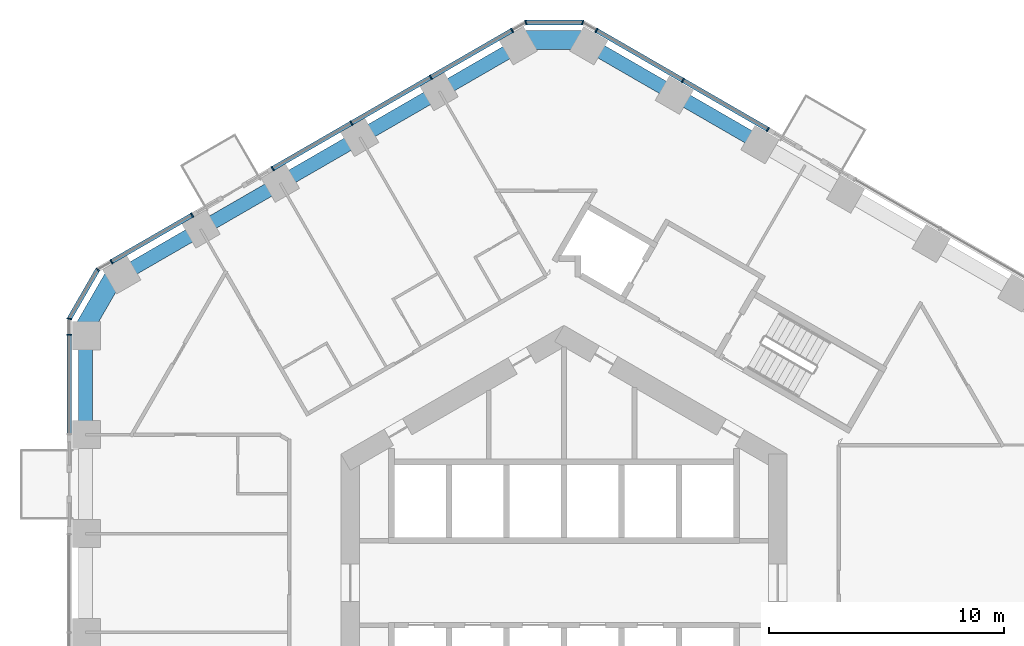
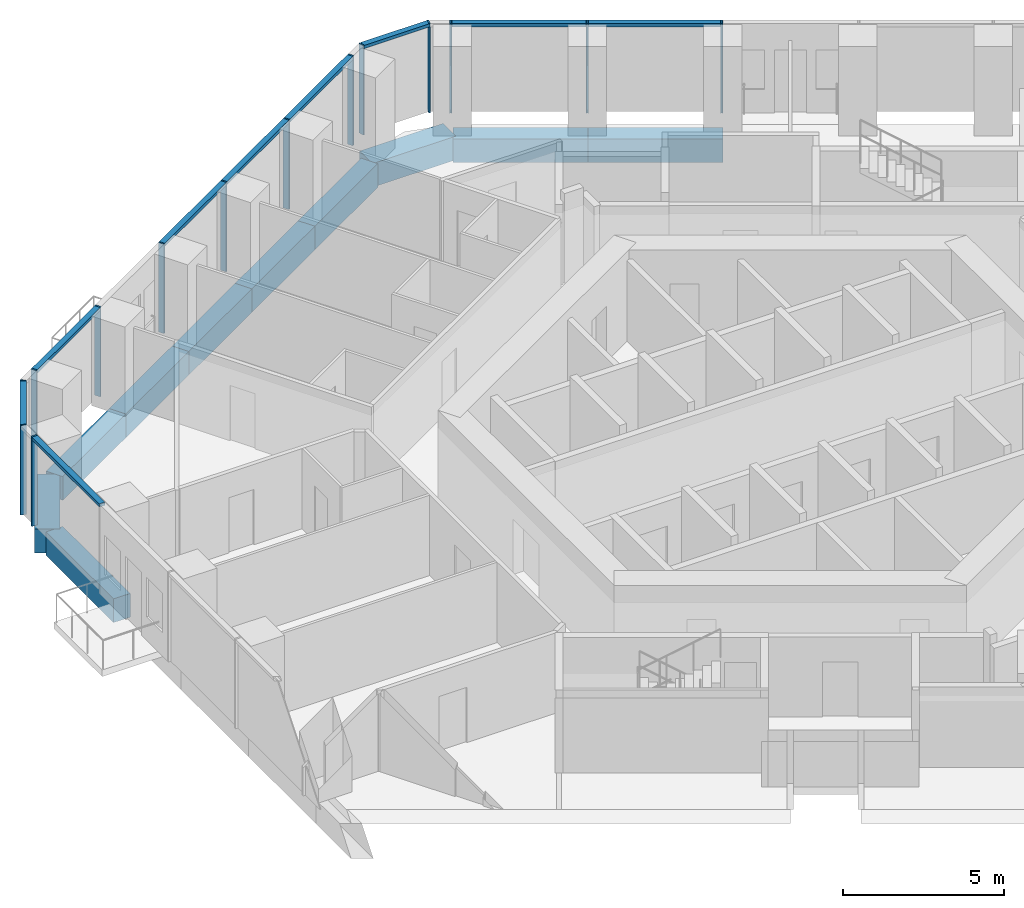
# One storey, part 6 of 20: 20 members, 10 beams, 6 elements without a shape of their own.
"""IFC4 building model written with IfcOpenShell, lengths in metres."""

from ifc_helpers import new_model, si_unit, direction, frame, origin, origin_2d, place, context, subcontext, project, spatial, rectangle, extrude, material, layer, layer_set, material_profile, profile_set, type_object, element, aggregate, save


model = new_model("IFC4")

# Units and contexts
model_context = context("Model", 3, precision=1e-05, world=origin(), true_north=direction((0.0, 1.0)))
body_context = subcontext(model_context, "Body", "Model", "MODEL_VIEW")
ifc_project = project(units=[si_unit("LENGTHUNIT", "METRE"), si_unit("AREAUNIT", "SQUARE_METRE"), si_unit("VOLUMEUNIT", "CUBIC_METRE"), si_unit("PLANEANGLEUNIT", "RADIAN"), si_unit("MASSUNIT", "GRAM", prefix="KILO")], contexts=[model_context])

# Site, building, storey
site_placement = place(None, origin())
site = spatial("IfcSite", under=ifc_project, at=site_placement, CompositionType="ELEMENT")
building_placement = place(site_placement, origin())
building = spatial("IfcBuilding", under=site, at=building_placement, Name="Ayvan Gate Tower", CompositionType="ELEMENT")
storey_placement = place(building_placement, frame((0.0, 0.0, 49.300048828125)))
storey = spatial("IfcBuildingStorey", under=building, at=storey_placement, Name="L12", CompositionType="ELEMENT", Elevation=49.300048828125)

# Beams
ifc_material_1 = material(Name="Concrete C40/50", Category="concrete")
ifc_material_profile_1 = material_profile(ifc_material_1, rectangle(XDim=0.800048828125, YDim=0.89990234375, at=origin_2d()), Name="RC 800x900")
ifc_profile_set_1 = profile_set([ifc_material_profile_1], Name="Concrete C40/50")
beam_type_1 = type_object("IfcBeamType", Name="Corner spandrel beam RC 800x900 C40/50", PredefinedType="BEAM", material=ifc_profile_set_1)
for number, where, z_axis, x_axis, name in (
    (1, (1.0986328125, 23.1220703125, -0.800048828125), (-1.0, 0.0, 0.0), (0.0, -1.0, 0.0), "SB-L12-12"),
    (2, (-19.07373046875, 13.207763671875, -0.800048828125), (-0.499990139034, -0.866031096941, 0.0), (0.866031096941, -0.499990139034, 0.0), "SB-L12-18"),
):
    element("IfcBeam", number, at=place(storey_placement, frame(where, z_axis=z_axis, x_axis=x_axis)), inside=storey, type_object=beam_type_1, Name=name, PredefinedType="BEAM", context=body_context, shape_type="SweptSolid", body=[
        extrude(rectangle(XDim=0.800048828125, YDim=0.89990234375, at=origin_2d()), origin(), (0.0, 0.0, 1.0), 3.0),
    ])
ifc_material_profile_2 = material_profile(ifc_material_1, rectangle(XDim=0.60009765625, YDim=0.89990234375, at=origin_2d()), Name="RC 600x900")
ifc_profile_set_2 = profile_set([ifc_material_profile_2], Name="Concrete C40/50")
beam_type_2 = type_object("IfcBeamType", Name="Spandrel beam RC 600x900 C40/50", PredefinedType="BEAM", material=ifc_profile_set_2)
for number, where, z_axis, x_axis, name in (
    (3, (8.373046875, 18.702392578125, -0.800048828125), (-0.866034573852, 0.49998411664, 0.0), (-0.49998411664, -0.866034573852, 0.0), "SB-L12-10"),
    (4, (4.73583984375, 20.80224609375, -0.800048828125), (-0.866034573852, 0.49998411664, 0.0), (-0.49998411664, -0.866034573852, 0.0), "SB-L12-11"),
):
    element("IfcBeam", number, at=place(storey_placement, frame(where, z_axis=z_axis, x_axis=x_axis)), inside=storey, type_object=beam_type_2, Name=name, PredefinedType="BEAM", context=body_context, shape_type="SweptSolid", body=[
        extrude(rectangle(XDim=0.60009765625, YDim=0.89990234375, at=origin_2d()), origin(), (0.0, 0.0, 1.0), 4.199951171875),
    ])
beam_1_placement = place(storey_placement, frame((-1.9013671875, 22.902099609375, -0.800048828125), z_axis=(-0.866054971592, -0.499948783558, 0.0), x_axis=(0.499948783558, -0.866054971592, 0.0)))
element("IfcBeam", 5, at=beam_1_placement, inside=storey, type_object=beam_type_2, Name="SB-L12-13", PredefinedType="BEAM", context=body_context, shape_type="SweptSolid", body=[
    extrude(rectangle(XDim=0.60009765625, YDim=0.89990234375, at=origin_2d()), origin(), (0.0, 0.0, 1.0), 3.921875),
])
beam_2_placement = place(storey_placement, frame((-5.2978515625, 20.94140625, -0.800048828125), z_axis=(-0.866012453361, -0.50002243012, 0.0), x_axis=(0.50002243012, -0.866012453361, 0.0)))
element("IfcBeam", 6, at=beam_2_placement, inside=storey, type_object=beam_type_2, Name="SB-L12-14", PredefinedType="BEAM", context=body_context, shape_type="SweptSolid", body=[
    extrude(rectangle(XDim=0.60009765625, YDim=0.89990234375, at=origin_2d()), origin(), (0.0, 0.0, 1.0), 3.921630859375),
])
beam_3_placement = place(storey_placement, frame((-8.694091796875, 18.98046875, -0.800048828125), z_axis=(-0.866028016946, -0.499995473844, 0.0), x_axis=(0.499995473844, -0.866028016946, 0.0)))
element("IfcBeam", 7, at=beam_3_placement, inside=storey, type_object=beam_type_2, Name="SB-L12-15", PredefinedType="BEAM", context=body_context, shape_type="SweptSolid", body=[
    extrude(rectangle(XDim=0.60009765625, YDim=0.89990234375, at=origin_2d()), origin(), (0.0, 0.0, 1.0), 3.921875),
])
for number, where, z_axis, x_axis, name in (
    (8, (-12.090576171875, 17.01953125, -0.800048828125), (-0.866012453361, -0.50002243012, 0.0), (0.50002243012, -0.866012453361, 0.0), "SB-L12-16"),
    (9, (-15.48681640625, 15.05859375, -0.800048828125), (-0.866039410429, -0.499975738995, 0.0), (0.499975738995, -0.866039410429, 0.0), "SB-L12-17"),
):
    element("IfcBeam", number, at=place(storey_placement, frame(where, z_axis=z_axis, x_axis=x_axis)), inside=storey, type_object=beam_type_2, Name=name, PredefinedType="BEAM", context=body_context, shape_type="SweptSolid", body=[
        extrude(rectangle(XDim=0.60009765625, YDim=0.89990234375, at=origin_2d()), origin(), (0.0, 0.0, 1.0), 3.921630859375),
    ])
beam_4_placement = place(storey_placement, frame((-20.383056640625, 10.499755859375, -0.800048828125), z_axis=(0.0, -1.0, 0.0), x_axis=(1.0, 0.0, 0.0)))
element("IfcBeam", 10, at=beam_4_placement, inside=storey, type_object=beam_type_2, Name="SB-L12-19", PredefinedType="BEAM", context=body_context, shape_type="SweptSolid", body=[
    extrude(rectangle(XDim=0.60009765625, YDim=0.89990234375, at=origin_2d()), origin(), (0.0, 0.0, 1.0), 4.199951171875),
])

# Curtain wall, members
ifc_material_2 = material(Name="Bronze anodised aluminium", Category="aluminium")
ifc_layer_1 = layer(ifc_material_2, 0.199951171875)
ifc_layer_set_1 = layer_set([ifc_layer_1], Name="Bronze anodised aluminium")
curtain_wall_type_1 = type_object("IfcCurtainWallType", Name="Stick curtain wall CW-1", PredefinedType="NOTDEFINED", material=ifc_layer_set_1)
curtain_wall_1_placement = place(storey_placement, origin())
curtain_wall_1 = element("IfcCurtainWall", 11, at=curtain_wall_1_placement, inside=storey, type_object=curtain_wall_type_1, Name="Stick curtain wall CW-1 L12", PredefinedType="NOTDEFINED")
ifc_material_profile_3 = material_profile(ifc_material_2, rectangle(XDim=0.199951171875, YDim=0.06005859375, at=origin_2d()), Name="Stick curtain wall CW-1 mullion 200 x 60")
ifc_profile_set_3 = profile_set([ifc_material_profile_3], Name="Bronze anodised aluminium")
member_type_1 = type_object("IfcMemberType", Name="Stick curtain wall CW-1 mullion 200 x 60", PredefinedType="MULLION", material=ifc_profile_set_3)
member_1_placement = place(storey_placement, frame((-2.211669921875, 23.531494140625, 0.0), z_axis=(0.0, 0.0, 1.0), x_axis=(-0.5, 0.866025403784, 0.0)))
member_1 = element("IfcMember", 12, at=member_1_placement, type_object=member_type_1, Name="CW-1 mullion 1", PredefinedType="MULLION", context=body_context, shape_type="SweptSolid", body=[
    extrude(rectangle(XDim=0.199951171875, YDim=0.06005859375, at=origin_2d()), origin(), (0.0, 0.0, 1.0), 3.39990234375),
])
member_2_placement = place(storey_placement, frame((-5.674072265625, 21.532470703125, 0.0), z_axis=(0.0, 0.0, 1.0), x_axis=(-0.5, 0.866025403784, 0.0)))
member_2 = element("IfcMember", 13, at=member_2_placement, type_object=member_type_1, Name="CW-1 mullion 2", PredefinedType="MULLION", context=body_context, shape_type="SweptSolid", body=[
    extrude(rectangle(XDim=0.199951171875, YDim=0.06005859375, at=origin_2d()), origin(), (0.0, 0.0, 1.0), 3.39990234375),
])
member_3_placement = place(storey_placement, frame((-9.05322265625, 19.58154296875, 0.0), z_axis=(0.0, 0.0, 1.0), x_axis=(-0.5, 0.866025403784, 0.0)))
member_3 = element("IfcMember", 14, at=member_3_placement, type_object=member_type_1, Name="CW-1 mullion 3", PredefinedType="MULLION", context=body_context, shape_type="SweptSolid", body=[
    extrude(rectangle(XDim=0.199951171875, YDim=0.06005859375, at=origin_2d()), origin(), (0.0, 0.0, 1.0), 3.39990234375),
])
member_4_placement = place(storey_placement, frame((-12.405517578125, 17.64599609375, 0.0), z_axis=(0.0, 0.0, 1.0), x_axis=(-0.5, 0.866025403784, 0.0)))
member_4 = element("IfcMember", 15, at=member_4_placement, type_object=member_type_1, Name="CW-1 mullion 4", PredefinedType="MULLION", context=body_context, shape_type="SweptSolid", body=[
    extrude(rectangle(XDim=0.199951171875, YDim=0.06005859375, at=origin_2d()), origin(), (0.0, 0.0, 1.0), 3.39990234375),
])

curtain_wall_2_placement = place(storey_placement, origin())
curtain_wall_2 = element("IfcCurtainWall", 16, at=curtain_wall_2_placement, inside=storey, type_object=curtain_wall_type_1, Name="Stick curtain wall CW-1 L12", PredefinedType="NOTDEFINED")
member_5_placement = place(storey_placement, frame((-15.836669921875, 15.6650390625, 0.0), z_axis=(0.0, 0.0, 1.0), x_axis=(-0.5, 0.866025403784, 0.0)))
member_5 = element("IfcMember", 17, at=member_5_placement, type_object=member_type_1, Name="CW-1 mullion 1", PredefinedType="MULLION", context=body_context, shape_type="SweptSolid", body=[
    extrude(rectangle(XDim=0.199951171875, YDim=0.06005859375, at=origin_2d()), origin(), (0.0, 0.0, 1.0), 3.39990234375),
])
member_6_placement = place(storey_placement, frame((-19.27294921875, 13.680908203125, 0.0), z_axis=(0.0, 0.0, 1.0), x_axis=(-0.5, 0.866025403784, 0.0)))
member_6 = element("IfcMember", 18, at=member_6_placement, type_object=member_type_1, Name="CW-1 mullion 2", PredefinedType="MULLION", context=body_context, shape_type="SweptSolid", body=[
    extrude(rectangle(XDim=0.199951171875, YDim=0.06005859375, at=origin_2d()), origin(), (0.0, 0.0, 1.0), 3.39990234375),
])

# Curtain wall, member
curtain_wall_3_placement = place(storey_placement, origin())
curtain_wall_3 = element("IfcCurtainWall", 19, at=curtain_wall_3_placement, inside=storey, type_object=curtain_wall_type_1, Name="Stick curtain wall CW-1 L12", PredefinedType="NOTDEFINED")
member_7_placement = place(storey_placement, frame((-21.069091796875, 10.570068359375, 0.0), z_axis=(0.0, 0.0, 1.0), x_axis=(-1.0, 0.0, 0.0)))
member_7 = element("IfcMember", 20, at=member_7_placement, type_object=member_type_1, Name="CW-1 mullion 1", PredefinedType="MULLION", context=body_context, shape_type="SweptSolid", body=[
    extrude(rectangle(XDim=0.199951171875, YDim=0.06005859375, at=origin_2d()), origin(), (0.0, 0.0, 1.0), 3.39990234375),
])

# Curtain wall, members
curtain_wall_4_placement = place(storey_placement, origin())
curtain_wall_4 = element("IfcCurtainWall", 21, at=curtain_wall_4_placement, inside=storey, type_object=curtain_wall_type_1, Name="Stick curtain wall CW-1 L12", PredefinedType="NOTDEFINED")
member_8_placement = place(storey_placement, frame((8.685546875, 19.31396484375, 0.0), z_axis=(0.0, 0.0, 1.0), x_axis=(0.5, 0.866025403784, 0.0)))
member_8 = element("IfcMember", 22, at=member_8_placement, type_object=member_type_1, Name="CW-1 mullion 1", PredefinedType="MULLION", context=body_context, shape_type="SweptSolid", body=[
    extrude(rectangle(XDim=0.199951171875, YDim=0.06005859375, at=origin_2d()), origin(), (0.0, 0.0, 1.0), 3.39990234375),
])
member_9_placement = place(storey_placement, frame((5.065673828125, 21.404052734375, 0.0), z_axis=(0.0, 0.0, 1.0), x_axis=(0.5, 0.866025403784, 0.0)))
member_9 = element("IfcMember", 23, at=member_9_placement, type_object=member_type_1, Name="CW-1 mullion 2", PredefinedType="MULLION", context=body_context, shape_type="SweptSolid", body=[
    extrude(rectangle(XDim=0.199951171875, YDim=0.06005859375, at=origin_2d()), origin(), (0.0, 0.0, 1.0), 3.39990234375),
])
member_10_placement = place(storey_placement, frame((1.380859375, 23.531494140625, 0.0), z_axis=(0.0, 0.0, 1.0), x_axis=(0.5, 0.866025403784, 0.0)))
member_10 = element("IfcMember", 24, at=member_10_placement, type_object=member_type_1, Name="CW-1 mullion 3", PredefinedType="MULLION", context=body_context, shape_type="SweptSolid", body=[
    extrude(rectangle(XDim=0.199951171875, YDim=0.06005859375, at=origin_2d()), origin(), (0.0, 0.0, 1.0), 3.39990234375),
])

# Member
ifc_material_profile_4 = material_profile(ifc_material_2, rectangle(XDim=0.199951171875, YDim=0.1201171875, at=origin_2d()), Name="Stick curtain wall CW-1 transom 200 x 120")
ifc_profile_set_4 = profile_set([ifc_material_profile_4], Name="Bronze anodised aluminium")
member_type_2 = type_object("IfcMemberType", Name="Stick curtain wall CW-1 transom 200 x 120", PredefinedType="USERDEFINED", material=ifc_profile_set_4)
member_11_placement = place(storey_placement, frame((-2.211669921875, 23.531494140625, 3.33984375), z_axis=(-0.866022558002, -0.500004929007, 0.0), x_axis=(0.500004929007, -0.866022558002, 0.0)))
member_11 = element("IfcMember", 25, at=member_11_placement, type_object=member_type_2, Name="CW-1 transom 1", ObjectType="TRANSOM", PredefinedType="USERDEFINED", context=body_context, shape_type="SweptSolid", body=[
    extrude(rectangle(XDim=0.199951171875, YDim=0.1201171875, at=origin_2d()), origin(), (0.0, 0.0, 1.0), 11.77099609375),
])

aggregate(curtain_wall_1, [member_1, member_2, member_3, member_4, member_11])

member_12_placement = place(storey_placement, frame((-15.836669921875, 15.6650390625, 3.33984375), z_axis=(-0.866004223388, -0.500036683728, 0.0), x_axis=(0.500036683728, -0.866004223388, 0.0)))
member_12 = element("IfcMember", 26, at=member_12_placement, type_object=member_type_2, Name="CW-1 transom 1", ObjectType="TRANSOM", PredefinedType="USERDEFINED", context=body_context, shape_type="SweptSolid", body=[
    extrude(rectangle(XDim=0.199951171875, YDim=0.1201171875, at=origin_2d()), origin(), (0.0, 0.0, 1.0), 3.968017578125),
])

aggregate(curtain_wall_2, [member_5, member_6, member_12])

member_13_placement = place(storey_placement, frame((-21.069091796875, 10.570068359375, 3.33984375), z_axis=(0.0, -1.0, 0.0), x_axis=(1.0, 0.0, 0.0)))
member_13 = element("IfcMember", 27, at=member_13_placement, type_object=member_type_2, Name="CW-1 transom 1", ObjectType="TRANSOM", PredefinedType="USERDEFINED", context=body_context, shape_type="SweptSolid", body=[
    extrude(rectangle(XDim=0.199951171875, YDim=0.1201171875, at=origin_2d()), origin(), (0.0, 0.0, 1.0), 4.22509765625),
])

aggregate(curtain_wall_3, [member_7, member_13])

member_14_placement = place(storey_placement, frame((8.685546875, 19.31396484375, 3.33984375), z_axis=(-0.866016881694, 0.500014760403, 0.0), x_axis=(-0.500014760403, -0.866016881694, 0.0)))
member_14 = element("IfcMember", 28, at=member_14_placement, type_object=member_type_2, Name="CW-1 transom 1", ObjectType="TRANSOM", PredefinedType="USERDEFINED", context=body_context, shape_type="SweptSolid", body=[
    extrude(rectangle(XDim=0.199951171875, YDim=0.1201171875, at=origin_2d()), origin(), (0.0, 0.0, 1.0), 8.434814453125),
])

aggregate(curtain_wall_4, [member_8, member_9, member_10, member_14])

# Curtain wall, members
ifc_layer_2 = layer(ifc_material_2, 0.199951171875)
ifc_layer_set_2 = layer_set([ifc_layer_2], Name="Bronze anodised aluminium")
curtain_wall_type_2 = type_object("IfcCurtainWallType", Name="Stick curtain wall CW-6", PredefinedType="NOTDEFINED", material=ifc_layer_set_2)
curtain_wall_5_placement = place(storey_placement, origin())
curtain_wall_5 = element("IfcCurtainWall", 29, at=curtain_wall_5_placement, inside=storey, type_object=curtain_wall_type_2, Name="Stick curtain wall CW-6 L12", PredefinedType="NOTDEFINED")
ifc_material_profile_5 = material_profile(ifc_material_2, rectangle(XDim=0.199951171875, YDim=0.050048828125, at=origin_2d()), Name="Stick curtain wall CW-6 mullion 200 x 50")
ifc_profile_set_5 = profile_set([ifc_material_profile_5], Name="Bronze anodised aluminium")
member_type_3 = type_object("IfcMemberType", Name="Stick curtain wall CW-6 mullion 200 x 50", PredefinedType="MULLION", material=ifc_profile_set_5)
member_15_placement = place(storey_placement, frame((-19.86181640625, 13.341064453125, 0.0), z_axis=(0.0, 0.0, 1.0), x_axis=(-0.707106781187, 0.707106781187, 0.0)))
member_15 = element("IfcMember", 30, at=member_15_placement, type_object=member_type_3, Name="CW-6 mullion 2", PredefinedType="MULLION", context=body_context, shape_type="SweptSolid", body=[
    extrude(rectangle(XDim=0.199951171875, YDim=0.050048828125, at=origin_2d()), origin(), (0.0, 0.0, 1.0), 3.39990234375),
])
member_16_placement = place(storey_placement, frame((-21.069091796875, 11.25, 0.0), z_axis=(0.0, 0.0, 1.0), x_axis=(-0.965925826289, 0.258819045103, 0.0)))
member_16 = element("IfcMember", 31, at=member_16_placement, type_object=member_type_3, Name="CW-6 mullion 3", PredefinedType="MULLION", context=body_context, shape_type="SweptSolid", body=[
    extrude(rectangle(XDim=0.199951171875, YDim=0.050048828125, at=origin_2d()), origin(), (0.0, 0.0, 1.0), 3.39990234375),
])

curtain_wall_6_placement = place(storey_placement, origin())
curtain_wall_6 = element("IfcCurtainWall", 32, at=curtain_wall_6_placement, inside=storey, type_object=curtain_wall_type_2, Name="Stick curtain wall CW-6 L12", PredefinedType="NOTDEFINED")
member_17_placement = place(storey_placement, frame((0.791748046875, 23.871337890625, 0.0), z_axis=(0.0, 0.0, 1.0), x_axis=(0.258819045103, 0.965925826289, 0.0)))
member_17 = element("IfcMember", 33, at=member_17_placement, type_object=member_type_3, Name="CW-6 mullion 2", PredefinedType="MULLION", context=body_context, shape_type="SweptSolid", body=[
    extrude(rectangle(XDim=0.199951171875, YDim=0.050048828125, at=origin_2d()), origin(), (0.0, 0.0, 1.0), 3.39990234375),
])
member_18_placement = place(storey_placement, frame((-1.622802734375, 23.871337890625, 0.0), z_axis=(0.0, 0.0, 1.0), x_axis=(-0.258819045103, 0.965925826289, 0.0)))
member_18 = element("IfcMember", 34, at=member_18_placement, type_object=member_type_3, Name="CW-6 mullion 3", PredefinedType="MULLION", context=body_context, shape_type="SweptSolid", body=[
    extrude(rectangle(XDim=0.199951171875, YDim=0.050048828125, at=origin_2d()), origin(), (0.0, 0.0, 1.0), 3.39990234375),
])

# Member
ifc_material_profile_6 = material_profile(ifc_material_2, rectangle(XDim=0.199951171875, YDim=0.1201171875, at=origin_2d()), Name="Stick curtain wall CW-6 transom 200 x 120")
ifc_profile_set_6 = profile_set([ifc_material_profile_6], Name="Bronze anodised aluminium")
member_type_4 = type_object("IfcMemberType", Name="Stick curtain wall CW-6 transom 200 x 120", PredefinedType="USERDEFINED", material=ifc_profile_set_6)
member_19_placement = place(storey_placement, frame((-19.87451171875, 13.3193359375, 3.33984375), z_axis=(-0.499936960004, -0.866061796884, 0.0), x_axis=(0.866061796884, -0.499936960004, 0.0)))
member_19 = element("IfcMember", 35, at=member_19_placement, type_object=member_type_4, Name="CW-6 transom 2", ObjectType="TRANSOM", PredefinedType="USERDEFINED", context=body_context, shape_type="SweptSolid", body=[
    extrude(rectangle(XDim=0.199951171875, YDim=0.1201171875, at=origin_2d()), origin(), (0.0, 0.0, 1.0), 2.364501953125),
])

aggregate(curtain_wall_5, [member_15, member_16, member_19])

member_20_placement = place(storey_placement, frame((0.766845703125, 23.871337890625, 3.33984375), z_axis=(-1.0, 0.0, 0.0), x_axis=(0.0, -1.0, 0.0)))
member_20 = element("IfcMember", 36, at=member_20_placement, type_object=member_type_4, Name="CW-6 transom 2", ObjectType="TRANSOM", PredefinedType="USERDEFINED", context=body_context, shape_type="SweptSolid", body=[
    extrude(rectangle(XDim=0.199951171875, YDim=0.1201171875, at=origin_2d()), origin(), (0.0, 0.0, 1.0), 2.364501953125),
])

aggregate(curtain_wall_6, [member_17, member_18, member_20])

save(model, "model.ifc")
